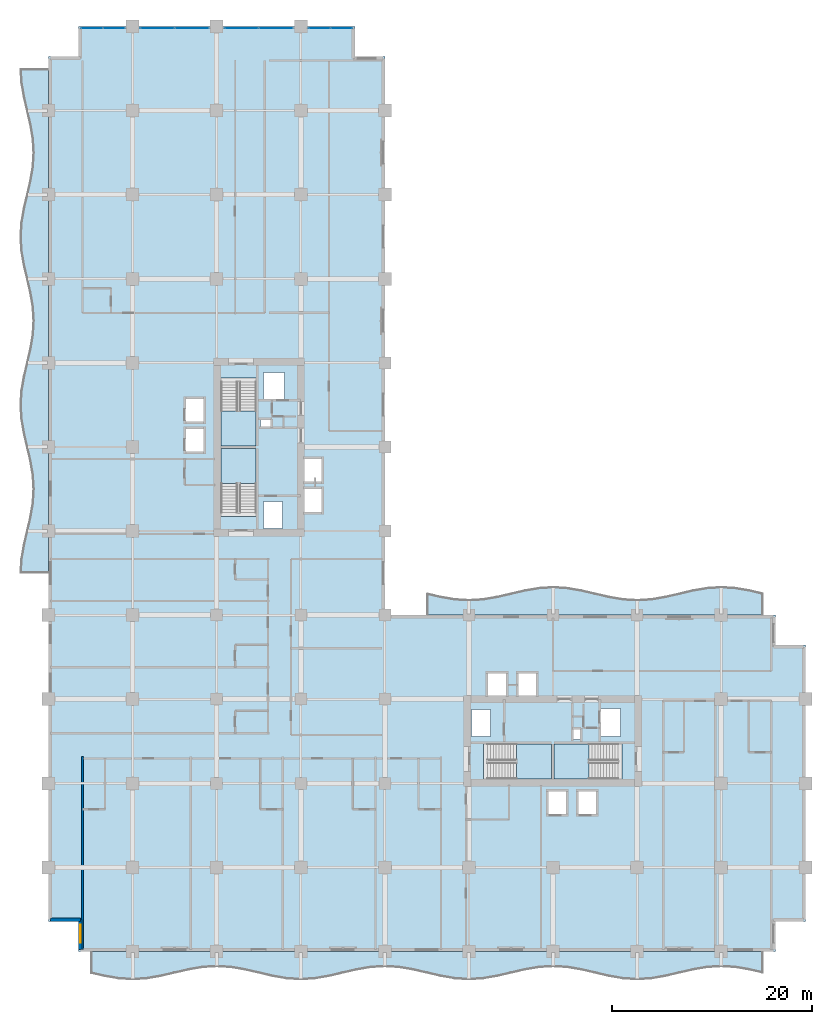
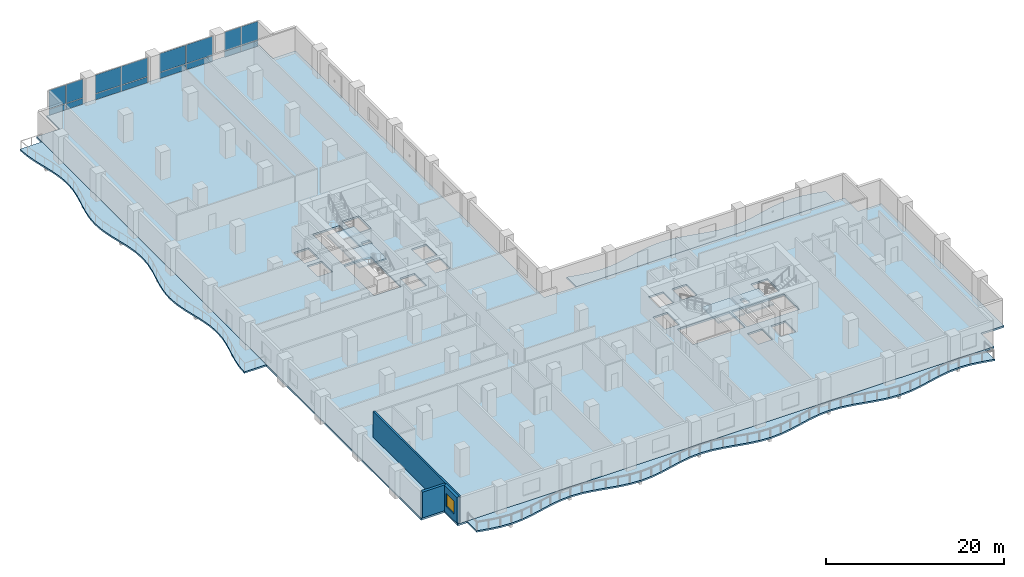
# One storey, part 6 of 21: 16 plates, 8 slabs, 3 walls, 1 window, 1 opening, 8 elements without a shape of their own.
"""IFC4 building model written with IfcOpenShell, lengths in metres."""

from ifc_helpers import new_model, si_unit, direction, frame, frame_2d, origin, origin_2d, place, context, subcontext, project, spatial, polyline, rectangle, outline, extrude, material, layer, layer_set, type_object, element, fill, aggregate, save


model = new_model("IFC4")

# Units and contexts
model_context = context("Model", 3, precision=1e-05, world=origin(), true_north=direction((0.0, 1.0)))
body_context = subcontext(model_context, "Body", "Model", "MODEL_VIEW")
ifc_project = project(units=[si_unit("LENGTHUNIT", "METRE"), si_unit("AREAUNIT", "SQUARE_METRE"), si_unit("VOLUMEUNIT", "CUBIC_METRE"), si_unit("PLANEANGLEUNIT", "RADIAN"), si_unit("MASSUNIT", "GRAM", prefix="KILO")], contexts=[model_context])

# Site, building, storey
site_placement = place(None, origin())
site = spatial("IfcSite", under=ifc_project, at=site_placement, CompositionType="ELEMENT")
building_placement = place(site_placement, origin())
building = spatial("IfcBuilding", under=site, at=building_placement, Name="Koriwani Terraces Tower", CompositionType="ELEMENT")
storey_placement = place(building_placement, frame((0.0, 0.0, 111.39990234375)))
storey = spatial("IfcBuildingStorey", under=building, at=storey_placement, Name="L26", CompositionType="ELEMENT", Elevation=111.39990234375)

# Curtain wall, plates
ifc_material_1 = material(Name="Anodised Bronze Aluminium", Category="aluminium")
ifc_layer_1 = layer(ifc_material_1, 0.179931640625, Name="Anodised Bronze Aluminium")
ifc_layer_set_1 = layer_set([ifc_layer_1], Name="Anodised Bronze Aluminium")
curtain_wall_type = type_object("IfcCurtainWallType", Name="CW_HOTEL_ZONE2", PredefinedType="NOTDEFINED", material=ifc_layer_set_1)
curtain_wall_1_placement = place(storey_placement, origin())
curtain_wall_1 = element("IfcCurtainWall", 1, at=curtain_wall_1_placement, inside=storey, type_object=curtain_wall_type, Name="L26 Unitised Curtain Wall (N_TIP) Bay 1", PredefinedType="NOTDEFINED")
ifc_material_2 = material(Name="Tempered Laminated Low-E Glass", Category="glass")
ifc_layer_2 = layer(ifc_material_2, 0.028076171875, Name="Tempered Laminated Low-E Glass")
ifc_layer_set_2 = layer_set([ifc_layer_2], Name="Tempered Laminated Low-E Glass")
plate_type = type_object("IfcPlateType", Name="CW_PANEL_VISION_28", PredefinedType="CURTAIN_PANEL", material=ifc_layer_set_2)
plate_1_placement = place(storey_placement, frame((4.322509765625, 92.22509765625, 0.06494140625), z_axis=(0.0, 0.0, 1.0), x_axis=(1.0, 0.0, 0.0)))
plate_1 = element("IfcPlate", 2, at=plate_1_placement, type_object=plate_type, Name="CW-Z2 panel 1.1", PredefinedType="CURTAIN_PANEL", context=body_context, shape_type="SweptSolid", body=[
    extrude(rectangle(XDim=2.14501953125, YDim=0.028076171875, at=origin_2d()), origin(), (0.0, 0.0, 1.0), 0.802490234375),
])
plate_2_placement = place(storey_placement, frame((4.322509765625, 92.22509765625, 0.9326171875), z_axis=(0.0, 0.0, 1.0), x_axis=(1.0, 0.0, 0.0)))
plate_2 = element("IfcPlate", 3, at=plate_2_placement, type_object=plate_type, Name="CW-Z2 panel 1.2", PredefinedType="CURTAIN_PANEL", context=body_context, shape_type="SweptSolid", body=[
    extrude(rectangle(XDim=2.14501953125, YDim=0.028076171875, at=origin_2d()), origin(), (0.0, 0.0, 1.0), 2.552490234375),
])
plate_3_placement = place(storey_placement, frame((6.54248046875, 92.22509765625, 0.06494140625), z_axis=(0.0, 0.0, 1.0), x_axis=(1.0, 0.0, 0.0)))
plate_3 = element("IfcPlate", 4, at=plate_3_placement, type_object=plate_type, Name="CW-Z2 panel 2.1", PredefinedType="CURTAIN_PANEL", context=body_context, shape_type="SweptSolid", body=[
    extrude(rectangle(XDim=2.14501953125, YDim=0.028076171875, at=origin_2d()), origin(), (0.0, 0.0, 1.0), 0.802490234375),
])
plate_4_placement = place(storey_placement, frame((6.54248046875, 92.22509765625, 0.9326171875), z_axis=(0.0, 0.0, 1.0), x_axis=(1.0, 0.0, 0.0)))
plate_4 = element("IfcPlate", 5, at=plate_4_placement, type_object=plate_type, Name="CW-Z2 panel 2.2", PredefinedType="CURTAIN_PANEL", context=body_context, shape_type="SweptSolid", body=[
    extrude(rectangle(XDim=2.14501953125, YDim=0.028076171875, at=origin_2d()), origin(), (0.0, 0.0, 1.0), 2.552490234375),
])
aggregate(curtain_wall_1, [plate_1, plate_2, plate_3, plate_4])

curtain_wall_2_placement = place(storey_placement, origin())
curtain_wall_2 = element("IfcCurtainWall", 6, at=curtain_wall_2_placement, inside=storey, type_object=curtain_wall_type, Name="L26 Unitised Curtain Wall (N_TIP) Bay 2", PredefinedType="NOTDEFINED")
plate_5_placement = place(storey_placement, frame((10.873779296875, 92.22509765625, 0.06494140625), z_axis=(0.0, 0.0, 1.0), x_axis=(1.0, 0.0, 0.0)))
plate_5 = element("IfcPlate", 7, at=plate_5_placement, type_object=plate_type, Name="CW-Z2 panel 1.1", PredefinedType="CURTAIN_PANEL", context=body_context, shape_type="SweptSolid", body=[
    extrude(rectangle(XDim=3.37744140625, YDim=0.028076171875, at=origin_2d()), origin(), (0.0, 0.0, 1.0), 0.802490234375),
])
plate_6_placement = place(storey_placement, frame((10.873779296875, 92.22509765625, 0.9326171875), z_axis=(0.0, 0.0, 1.0), x_axis=(1.0, 0.0, 0.0)))
plate_6 = element("IfcPlate", 8, at=plate_6_placement, type_object=plate_type, Name="CW-Z2 panel 1.2", PredefinedType="CURTAIN_PANEL", context=body_context, shape_type="SweptSolid", body=[
    extrude(rectangle(XDim=3.37744140625, YDim=0.028076171875, at=origin_2d()), origin(), (0.0, 0.0, 1.0), 2.552490234375),
])
plate_7_placement = place(storey_placement, frame((14.326171875, 92.22509765625, 0.06494140625), z_axis=(0.0, 0.0, 1.0), x_axis=(1.0, 0.0, 0.0)))
plate_7 = element("IfcPlate", 9, at=plate_7_placement, type_object=plate_type, Name="CW-Z2 panel 2.1", PredefinedType="CURTAIN_PANEL", context=body_context, shape_type="SweptSolid", body=[
    extrude(rectangle(XDim=3.37744140625, YDim=0.028076171875, at=origin_2d()), origin(), (0.0, 0.0, 1.0), 0.802490234375),
])
plate_8_placement = place(storey_placement, frame((14.326171875, 92.22509765625, 0.9326171875), z_axis=(0.0, 0.0, 1.0), x_axis=(1.0, 0.0, 0.0)))
plate_8 = element("IfcPlate", 10, at=plate_8_placement, type_object=plate_type, Name="CW-Z2 panel 2.2", PredefinedType="CURTAIN_PANEL", context=body_context, shape_type="SweptSolid", body=[
    extrude(rectangle(XDim=3.37744140625, YDim=0.028076171875, at=origin_2d()), origin(), (0.0, 0.0, 1.0), 2.552490234375),
])
aggregate(curtain_wall_2, [plate_5, plate_6, plate_7, plate_8])

curtain_wall_3_placement = place(storey_placement, origin())
curtain_wall_3 = element("IfcCurtainWall", 11, at=curtain_wall_3_placement, inside=storey, type_object=curtain_wall_type, Name="L26 Unitised Curtain Wall (N_TIP) Bay 3", PredefinedType="NOTDEFINED")
plate_9_placement = place(storey_placement, frame((19.273681640625, 92.22509765625, 0.06494140625), z_axis=(0.0, 0.0, 1.0), x_axis=(1.0, 0.0, 0.0)))
plate_9 = element("IfcPlate", 12, at=plate_9_placement, type_object=plate_type, Name="CW-Z2 panel 1.1", PredefinedType="CURTAIN_PANEL", context=body_context, shape_type="SweptSolid", body=[
    extrude(rectangle(XDim=3.37744140625, YDim=0.028076171875, at=origin_2d()), origin(), (0.0, 0.0, 1.0), 0.802490234375),
])
plate_10_placement = place(storey_placement, frame((19.273681640625, 92.22509765625, 0.9326171875), z_axis=(0.0, 0.0, 1.0), x_axis=(1.0, 0.0, 0.0)))
plate_10 = element("IfcPlate", 13, at=plate_10_placement, type_object=plate_type, Name="CW-Z2 panel 1.2", PredefinedType="CURTAIN_PANEL", context=body_context, shape_type="SweptSolid", body=[
    extrude(rectangle(XDim=3.37744140625, YDim=0.028076171875, at=origin_2d()), origin(), (0.0, 0.0, 1.0), 2.552490234375),
])
plate_11_placement = place(storey_placement, frame((22.726318359375, 92.22509765625, 0.06494140625), z_axis=(0.0, 0.0, 1.0), x_axis=(1.0, 0.0, 0.0)))
plate_11 = element("IfcPlate", 14, at=plate_11_placement, type_object=plate_type, Name="CW-Z2 panel 2.1", PredefinedType="CURTAIN_PANEL", context=body_context, shape_type="SweptSolid", body=[
    extrude(rectangle(XDim=3.37744140625, YDim=0.028076171875, at=origin_2d()), origin(), (0.0, 0.0, 1.0), 0.802490234375),
])
plate_12_placement = place(storey_placement, frame((22.726318359375, 92.22509765625, 0.9326171875), z_axis=(0.0, 0.0, 1.0), x_axis=(1.0, 0.0, 0.0)))
plate_12 = element("IfcPlate", 15, at=plate_12_placement, type_object=plate_type, Name="CW-Z2 panel 2.2", PredefinedType="CURTAIN_PANEL", context=body_context, shape_type="SweptSolid", body=[
    extrude(rectangle(XDim=3.37744140625, YDim=0.028076171875, at=origin_2d()), origin(), (0.0, 0.0, 1.0), 2.552490234375),
])
aggregate(curtain_wall_3, [plate_9, plate_10, plate_11, plate_12])

curtain_wall_4_placement = place(storey_placement, origin())
curtain_wall_4 = element("IfcCurtainWall", 16, at=curtain_wall_4_placement, inside=storey, type_object=curtain_wall_type, Name="L26 Unitised Curtain Wall (N_TIP) Bay 4", PredefinedType="NOTDEFINED")
plate_13_placement = place(storey_placement, frame((27.0576171875, 92.22509765625, 0.06494140625), z_axis=(0.0, 0.0, 1.0), x_axis=(1.0, 0.0, 0.0)))
plate_13 = element("IfcPlate", 17, at=plate_13_placement, type_object=plate_type, Name="CW-Z2 panel 1.1", PredefinedType="CURTAIN_PANEL", context=body_context, shape_type="SweptSolid", body=[
    extrude(rectangle(XDim=2.14501953125, YDim=0.028076171875, at=origin_2d()), origin(), (0.0, 0.0, 1.0), 0.802490234375),
])
plate_14_placement = place(storey_placement, frame((27.0576171875, 92.22509765625, 0.9326171875), z_axis=(0.0, 0.0, 1.0), x_axis=(1.0, 0.0, 0.0)))
plate_14 = element("IfcPlate", 18, at=plate_14_placement, type_object=plate_type, Name="CW-Z2 panel 1.2", PredefinedType="CURTAIN_PANEL", context=body_context, shape_type="SweptSolid", body=[
    extrude(rectangle(XDim=2.14501953125, YDim=0.028076171875, at=origin_2d()), origin(), (0.0, 0.0, 1.0), 2.552490234375),
])
plate_15_placement = place(storey_placement, frame((29.277587890625, 92.22509765625, 0.06494140625), z_axis=(0.0, 0.0, 1.0), x_axis=(1.0, 0.0, 0.0)))
plate_15 = element("IfcPlate", 19, at=plate_15_placement, type_object=plate_type, Name="CW-Z2 panel 2.1", PredefinedType="CURTAIN_PANEL", context=body_context, shape_type="SweptSolid", body=[
    extrude(rectangle(XDim=2.14501953125, YDim=0.028076171875, at=origin_2d()), origin(), (0.0, 0.0, 1.0), 0.802490234375),
])
plate_16_placement = place(storey_placement, frame((29.277587890625, 92.22509765625, 0.9326171875), z_axis=(0.0, 0.0, 1.0), x_axis=(1.0, 0.0, 0.0)))
plate_16 = element("IfcPlate", 20, at=plate_16_placement, type_object=plate_type, Name="CW-Z2 panel 2.2", PredefinedType="CURTAIN_PANEL", context=body_context, shape_type="SweptSolid", body=[
    extrude(rectangle(XDim=2.14501953125, YDim=0.028076171875, at=origin_2d()), origin(), (0.0, 0.0, 1.0), 2.552490234375),
])
aggregate(curtain_wall_4, [plate_13, plate_14, plate_15, plate_16])

# Slabs
ifc_material_3 = material(Name="Concrete C40/50", Category="concrete")
ifc_layer_3 = layer(ifc_material_3, 0.219970703125, Name="Concrete C40/50")
ifc_layer_set_3 = layer_set([ifc_layer_3], Name="Concrete C40/50")
slab_type_1 = type_object("IfcSlabType", Name="SLAB_BALCONY_220", PredefinedType="FLOOR", material=ifc_layer_set_3)
slab_1_placement = place(storey_placement, frame((0.0, 0.0, -0.219970703125)))
element("IfcSlab", 21, at=slab_1_placement, inside=storey, type_object=slab_type_1, Name="L26 Quilted Circular-Arc Balcony (S)", PredefinedType="FLOOR", context=body_context, shape_type="SweptSolid", body=[
    extrude(outline(polyline([(4.199951171875, 0.0), (5.60009765625, 0.0), (7.0, 0.0), (8.39990234375, 0.0), (9.800048828125, 0.0), (11.199951171875, 0.0), (12.60009765625, 0.0), (14.0, 0.0), (15.39990234375, 0.0), (16.800048828125, 0.0), (18.199951171875, 0.0), (19.60009765625, 0.0), (21.0, 0.0), (22.39990234375, 0.0), (23.800048828125, 0.0), (25.199951171875, 0.0), (26.60009765625, 0.0), (28.0, 0.0), (29.39990234375, 0.0), (30.800048828125, 0.0), (32.199951171875, 0.0), (33.60009765625, 0.0), (35.0, 0.0), (36.39990234375, 0.0), (37.800048828125, 0.0), (39.199951171875, 0.0), (40.60009765625, 0.0), (42.0, 0.0), (43.39990234375, 0.0), (44.800048828125, 0.0), (46.199951171875, 0.0), (47.60009765625, 0.0), (49.0, 0.0), (50.39990234375, 0.0), (51.800048828125, 0.0), (53.199951171875, 0.0), (54.60009765625, 0.0), (56.0, 0.0), (57.39990234375, 0.0), (58.800048828125, 0.0), (60.199951171875, 0.0), (61.60009765625, 0.0), (63.0, 0.0), (64.39990234375, 0.0), (65.800048828125, 0.0), (67.199951171875, 0.0), (68.60009765625, 0.0), (70.0, 0.0), (71.39990234375, 0.0), (71.39990234375, -2.199951171875), (70.0, -1.875), (68.60009765625, -1.63720703125), (67.199951171875, -1.550048828125), (65.800048828125, -1.63720703125), (64.39990234375, -1.875), (63.0, -2.199951171875), (61.60009765625, -2.52490234375), (60.199951171875, -2.762939453125), (58.800048828125, -2.85009765625), (57.39990234375, -2.762939453125), (56.0, -2.52490234375), (54.60009765625, -2.199951171875), (53.199951171875, -1.875), (51.800048828125, -1.63720703125), (50.39990234375, -1.550048828125), (49.0, -1.63720703125), (47.60009765625, -1.875), (46.199951171875, -2.199951171875), (44.800048828125, -2.52490234375), (43.39990234375, -2.762939453125), (42.0, -2.85009765625), (40.60009765625, -2.762939453125), (39.199951171875, -2.52490234375), (37.800048828125, -2.199951171875), (36.39990234375, -1.875), (35.0, -1.63720703125), (33.60009765625, -1.550048828125), (32.199951171875, -1.63720703125), (30.800048828125, -1.875), (29.39990234375, -2.199951171875), (28.0, -2.52490234375), (26.60009765625, -2.762939453125), (25.199951171875, -2.85009765625), (23.800048828125, -2.762939453125), (22.39990234375, -2.52490234375), (21.0, -2.199951171875), (19.60009765625, -1.875), (18.199951171875, -1.63720703125), (16.800048828125, -1.550048828125), (15.39990234375, -1.63720703125), (14.0, -1.875), (12.60009765625, -2.199951171875), (11.199951171875, -2.52490234375), (9.800048828125, -2.762939453125), (8.39990234375, -2.85009765625), (7.0, -2.762939453125), (5.60009765625, -2.52490234375), (4.199951171875, -2.199951171875), (4.199951171875, 0.0)])), origin(), (0.0, 0.0, 1.0), 0.219970703125),
])
slab_2_placement = place(storey_placement, frame((0.0, 0.0, -0.219970703125)))
element("IfcSlab", 22, at=slab_2_placement, inside=storey, type_object=slab_type_1, Name="L26 Quilted Circular-Arc Balcony (W)", PredefinedType="FLOOR", context=body_context, shape_type="SweptSolid", body=[
    extrude(outline(polyline([(0.0, 37.800048828125), (0.0, 39.199951171875), (0.0, 40.60009765625), (0.0, 42.0), (0.0, 43.39990234375), (0.0, 44.800048828125), (0.0, 46.199951171875), (0.0, 47.60009765625), (0.0, 49.0), (0.0, 50.39990234375), (0.0, 51.800048828125), (0.0, 53.199951171875), (0.0, 54.60009765625), (0.0, 56.0), (0.0, 57.39990234375), (0.0, 58.800048828125), (0.0, 60.199951171875), (0.0, 61.60009765625), (0.0, 63.0), (0.0, 64.39990234375), (0.0, 65.800048828125), (0.0, 67.199951171875), (0.0, 68.60009765625), (0.0, 70.0), (0.0, 71.39990234375), (0.0, 72.800048828125), (0.0, 74.199951171875), (0.0, 75.60009765625), (0.0, 77.0), (0.0, 78.39990234375), (0.0, 79.800048828125), (0.0, 81.199951171875), (0.0, 82.60009765625), (0.0, 84.0), (0.0, 85.39990234375), (0.0, 86.800048828125), (0.0, 88.199951171875), (-2.85009765625, 88.199951171875), (-2.762939453125, 86.800048828125), (-2.52490234375, 85.39990234375), (-2.199951171875, 84.0), (-1.875, 82.60009765625), (-1.63720703125, 81.199951171875), (-1.550048828125, 79.800048828125), (-1.63720703125, 78.39990234375), (-1.875, 77.0), (-2.199951171875, 75.60009765625), (-2.52490234375, 74.199951171875), (-2.762939453125, 72.800048828125), (-2.85009765625, 71.39990234375), (-2.762939453125, 70.0), (-2.52490234375, 68.60009765625), (-2.199951171875, 67.199951171875), (-1.875, 65.800048828125), (-1.63720703125, 64.39990234375), (-1.550048828125, 63.0), (-1.63720703125, 61.60009765625), (-1.875, 60.199951171875), (-2.199951171875, 58.800048828125), (-2.52490234375, 57.39990234375), (-2.762939453125, 56.0), (-2.85009765625, 54.60009765625), (-2.762939453125, 53.199951171875), (-2.52490234375, 51.800048828125), (-2.199951171875, 50.39990234375), (-1.875, 49.0), (-1.63720703125, 47.60009765625), (-1.550048828125, 46.199951171875), (-1.63720703125, 44.800048828125), (-1.875, 43.39990234375), (-2.199951171875, 42.0), (-2.52490234375, 40.60009765625), (-2.762939453125, 39.199951171875), (-2.85009765625, 37.800048828125), (0.0, 37.800048828125)])), origin(), (0.0, 0.0, 1.0), 0.219970703125),
])
slab_3_placement = place(storey_placement, frame((0.0, 0.0, -0.219970703125)))
element("IfcSlab", 23, at=slab_3_placement, inside=storey, type_object=slab_type_1, Name="L26 Quilted Circular-Arc Balcony (NE)", PredefinedType="FLOOR", context=body_context, shape_type="SweptSolid", body=[
    extrude(outline(polyline([(71.39990234375, 33.60009765625), (70.0, 33.60009765625), (68.60009765625, 33.60009765625), (67.199951171875, 33.60009765625), (65.800048828125, 33.60009765625), (64.39990234375, 33.60009765625), (63.0, 33.60009765625), (61.60009765625, 33.60009765625), (60.199951171875, 33.60009765625), (58.800048828125, 33.60009765625), (57.39990234375, 33.60009765625), (56.0, 33.60009765625), (54.60009765625, 33.60009765625), (53.199951171875, 33.60009765625), (51.800048828125, 33.60009765625), (50.39990234375, 33.60009765625), (49.0, 33.60009765625), (47.60009765625, 33.60009765625), (46.199951171875, 33.60009765625), (44.800048828125, 33.60009765625), (43.39990234375, 33.60009765625), (42.0, 33.60009765625), (40.60009765625, 33.60009765625), (39.199951171875, 33.60009765625), (37.800048828125, 33.60009765625), (37.800048828125, 35.800048828125), (39.199951171875, 35.47509765625), (40.60009765625, 35.237060546875), (42.0, 35.14990234375), (43.39990234375, 35.237060546875), (44.800048828125, 35.47509765625), (46.199951171875, 35.800048828125), (47.60009765625, 36.125), (49.0, 36.36279296875), (50.39990234375, 36.449951171875), (51.800048828125, 36.36279296875), (53.199951171875, 36.125), (54.60009765625, 35.800048828125), (56.0, 35.47509765625), (57.39990234375, 35.237060546875), (58.800048828125, 35.14990234375), (60.199951171875, 35.237060546875), (61.60009765625, 35.47509765625), (63.0, 35.800048828125), (64.39990234375, 36.125), (65.800048828125, 36.36279296875), (67.199951171875, 36.449951171875), (68.60009765625, 36.36279296875), (70.0, 36.125), (71.39990234375, 35.800048828125), (71.39990234375, 33.60009765625)])), origin(), (0.0, 0.0, 1.0), 0.219970703125),
])

# Stair, slab
stair_type = type_object("IfcStairType", Name="STAIR_CORE_DOGLEG_1650", PredefinedType="TWO_STRAIGHT_RUN_STAIR", material=ifc_material_3)
stair_1_placement = place(storey_placement, origin())
stair_1 = element("IfcStair", 24, at=stair_1_placement, inside=storey, type_object=stair_type, Name="L26 West Core Exit Stair 1", PredefinedType="HALF_TURN_STAIR")
ifc_layer_4 = layer(ifc_material_3, 0.199951171875, Name="Concrete C40/50")
ifc_layer_set_4 = layer_set([ifc_layer_4], Name="Concrete C40/50")
slab_type_2 = type_object("IfcSlabType", Name="SLAB_STAIR_LANDING_200", PredefinedType="LANDING", material=ifc_layer_set_4)
slab_4_placement = place(storey_placement, frame((0.0, 0.0, 1.7001953125)))
slab_4 = element("IfcSlab", 25, at=slab_4_placement, type_object=slab_type_2, Name="ST-W1 landing 1", PredefinedType="LANDING", context=body_context, shape_type="SweptSolid", body=[
    extrude(outline(polyline([(20.75, 46.75), (20.75, 50.25), (17.25, 50.25), (17.25, 46.75), (20.75, 46.75)])), origin(), (0.0, 0.0, 1.0), 0.199951171875),
])
aggregate(stair_1, [slab_4])

stair_2_placement = place(storey_placement, origin())
stair_2 = element("IfcStair", 26, at=stair_2_placement, inside=storey, type_object=stair_type, Name="L26 West Core Exit Stair 2", PredefinedType="HALF_TURN_STAIR")
slab_5_placement = place(storey_placement, frame((0.0, 0.0, 1.7001953125)))
slab_5 = element("IfcSlab", 27, at=slab_5_placement, type_object=slab_type_2, Name="ST-W2 landing 1", PredefinedType="LANDING", context=body_context, shape_type="SweptSolid", body=[
    extrude(outline(polyline([(17.25, 54.0), (17.25, 50.5), (20.75, 50.5), (20.75, 54.0), (17.25, 54.0)])), origin(), (0.0, 0.0, 1.0), 0.199951171875),
])
aggregate(stair_2, [slab_5])

stair_3_placement = place(storey_placement, origin())
stair_3 = element("IfcStair", 28, at=stair_3_placement, inside=storey, type_object=stair_type, Name="L26 East Core Exit Stair 1", PredefinedType="HALF_TURN_STAIR")
slab_6_placement = place(storey_placement, frame((0.0, 0.0, 1.7001953125)))
slab_6 = element("IfcSlab", 29, at=slab_6_placement, type_object=slab_type_2, Name="ST-E1 landing 1", PredefinedType="LANDING", context=body_context, shape_type="SweptSolid", body=[
    extrude(outline(polyline([(46.75, 17.25), (50.25, 17.25), (50.25, 20.75), (46.75, 20.75), (46.75, 17.25)])), origin(), (0.0, 0.0, 1.0), 0.199951171875),
])
aggregate(stair_3, [slab_6])

stair_4_placement = place(storey_placement, origin())
stair_4 = element("IfcStair", 30, at=stair_4_placement, inside=storey, type_object=stair_type, Name="L26 East Core Exit Stair 2", PredefinedType="HALF_TURN_STAIR")
slab_7_placement = place(storey_placement, frame((0.0, 0.0, 1.7001953125)))
slab_7 = element("IfcSlab", 31, at=slab_7_placement, type_object=slab_type_2, Name="ST-E2 landing 1", PredefinedType="LANDING", context=body_context, shape_type="SweptSolid", body=[
    extrude(outline(polyline([(54.0, 20.75), (50.5, 20.75), (50.5, 17.25), (54.0, 17.25), (54.0, 20.75)])), origin(), (0.0, 0.0, 1.0), 0.199951171875),
])
aggregate(stair_4, [slab_7])

# Slab
ifc_layer_5 = layer(ifc_material_3, 0.25, Name="Concrete C40/50")
ifc_layer_set_5 = layer_set([ifc_layer_5], Name="Concrete C40/50")
slab_type_3 = type_object("IfcSlabType", Name="SLAB_TOWER_TYP_250", PredefinedType="FLOOR", material=ifc_layer_set_5)
slab_8_placement = place(storey_placement, frame((0.0, 0.0, -0.25)))
element("IfcSlab", 32, at=slab_8_placement, inside=storey, type_object=slab_type_3, Name="L26 Structural Floor Slab", PredefinedType="FLOOR", context=body_context, shape_type="SweptSolid", body=[
    extrude(outline(polyline([(3.0, 0.0), (72.60009765625, 0.0), (72.60009765625, 3.0), (75.60009765625, 3.0), (75.60009765625, 30.60009765625), (72.60009765625, 30.60009765625), (72.60009765625, 33.60009765625), (33.60009765625, 33.60009765625), (33.60009765625, 89.39990234375), (30.60009765625, 89.39990234375), (30.60009765625, 92.39990234375), (3.0, 92.39990234375), (3.0, 89.39990234375), (0.0, 89.39990234375), (0.0, 3.0), (3.0, 3.0), (3.0, 0.0)]), holes=[polyline([(17.25, 43.4599609375), (20.75, 43.4599609375), (20.75, 50.25), (17.25, 50.25), (17.25, 43.4599609375)]), polyline([(17.25, 50.5), (20.75, 50.5), (20.75, 57.2900390625), (17.25, 57.2900390625), (17.25, 50.5)]), polyline([(43.4599609375, 17.25), (50.25, 17.25), (50.25, 20.75), (43.4599609375, 20.75), (43.4599609375, 17.25)]), polyline([(50.5, 17.25), (57.2900390625, 17.25), (57.2900390625, 20.75), (50.5, 20.75), (50.5, 17.25)]), polyline([(13.64990234375, 49.85009765625), (15.550048828125, 49.85009765625), (15.550048828125, 52.25), (13.64990234375, 52.25), (13.64990234375, 49.85009765625)]), polyline([(13.64990234375, 52.85009765625), (15.550048828125, 52.85009765625), (15.550048828125, 55.25), (13.64990234375, 55.25), (13.64990234375, 52.85009765625)]), polyline([(49.85009765625, 13.64990234375), (51.75, 13.64990234375), (51.75, 16.050048828125), (49.85009765625, 16.050048828125), (49.85009765625, 13.64990234375)]), polyline([(52.85009765625, 13.64990234375), (54.75, 13.64990234375), (54.75, 16.050048828125), (52.85009765625, 16.050048828125), (52.85009765625, 13.64990234375)]), polyline([(25.449951171875, 43.85009765625), (27.35009765625, 43.85009765625), (27.35009765625, 46.25), (25.449951171875, 46.25), (25.449951171875, 43.85009765625)]), polyline([(25.449951171875, 46.85009765625), (27.35009765625, 46.85009765625), (27.35009765625, 49.25), (25.449951171875, 49.25), (25.449951171875, 46.85009765625)]), polyline([(43.85009765625, 25.449951171875), (45.75, 25.449951171875), (45.75, 27.85009765625), (43.85009765625, 27.85009765625), (43.85009765625, 25.449951171875)]), polyline([(46.85009765625, 25.449951171875), (48.75, 25.449951171875), (48.75, 27.85009765625), (46.85009765625, 27.85009765625), (46.85009765625, 25.449951171875)]), polyline([(21.449951171875, 55.050048828125), (23.550048828125, 55.050048828125), (23.550048828125, 57.85009765625), (21.449951171875, 57.85009765625), (21.449951171875, 55.050048828125)]), polyline([(55.050048828125, 21.449951171875), (57.14990234375, 21.449951171875), (57.14990234375, 24.25), (55.050048828125, 24.25), (55.050048828125, 21.449951171875)]), polyline([(21.449951171875, 42.25), (23.35009765625, 42.25), (23.35009765625, 44.949951171875), (21.449951171875, 44.949951171875), (21.449951171875, 42.25)]), polyline([(42.25, 21.449951171875), (44.14990234375, 21.449951171875), (44.14990234375, 24.14990234375), (42.25, 24.14990234375), (42.25, 21.449951171875)]), polyline([(21.14990234375, 52.419921875), (22.219970703125, 52.419921875), (22.219970703125, 53.179931640625), (21.14990234375, 53.179931640625), (21.14990234375, 52.419921875)]), polyline([(52.419921875, 21.14990234375), (53.179931640625, 21.14990234375), (53.179931640625, 22.219970703125), (52.419921875, 22.219970703125), (52.419921875, 21.14990234375)])]), origin(), (0.0, 0.0, 1.0), 0.25),
])

# Wall
ifc_material_4 = material(Name="Autoclaved Cellular Concrete Blockwork", Category="masonry")
ifc_layer_6 = layer(ifc_material_4, 0.219970703125, Name="Autoclaved Cellular Concrete Blockwork")
ifc_layer_set_6 = layer_set([ifc_layer_6], Name="Autoclaved Cellular Concrete Blockwork")
wall_type_1 = type_object("IfcWallType", Name="WALL_DEMISING_220", PredefinedType="PARTITIONING", material=ifc_layer_set_6)
wall_1_placement = place(storey_placement, frame((3.39990234375, 0.199951171875, 0.0), z_axis=(0.0, 0.0, 1.0), x_axis=(0.0, 1.0, 0.0)))
element("IfcWall", 33, at=wall_1_placement, inside=storey, type_object=wall_type_1, Name="L26 Interior Wall WDEM-L26-SW-0", PredefinedType="PARTITIONING", context=body_context, shape_type="SweptSolid", body=[
    extrude(rectangle(XDim=19.280029296875, YDim=0.219970703125, at=frame_2d((9.64013671875, 0.0))), origin(), (0.0, 0.0, 1.0), 3.550048828125),
])

# Wall, opening, window
ifc_material_5 = material(Name="Concrete C50/60", Category="concrete")
ifc_layer_7 = layer(ifc_material_5, 0.35009765625, Name="Concrete C50/60")
ifc_layer_set_7 = layer_set([ifc_layer_7], Name="Concrete C50/60")
wall_type_2 = type_object("IfcWallType", Name="WALL_EXT_BRUTALIST_350", PredefinedType="STANDARD", material=ifc_layer_set_7)
wall_2_placement = place(storey_placement, frame((3.175048828125, 0.175048828125, 0.0), z_axis=(0.0, 0.0, 1.0), x_axis=(0.0, 1.0, 0.0)))
wall_2 = element("IfcWall", 34, at=wall_2_placement, inside=storey, type_object=wall_type_2, Name="L26 Fair-Faced Brutalist Exterior Wall (N0)", PredefinedType="STANDARD", context=body_context, shape_type="SweptSolid", body=[
    extrude(rectangle(XDim=3.0, YDim=0.35009765625, at=frame_2d((1.5, 0.0))), origin(), (0.0, 0.0, 1.0), 3.550048828125),
])
opening_placement = place(wall_2_placement, frame((0.677490234375, 0.0, 0.85009765625)))
opening = element("IfcOpeningElement", 35, at=opening_placement, cuts=wall_2, Name="Opening W-04", PredefinedType="OPENING", context=body_context, shape_type="SweptSolid", body=[
    extrude(rectangle(XDim=1.800048828125, YDim=1.800048828125, at=frame_2d((0.89990234375, 0.89990234375))), frame((0.0, 0.18505859375, 0.0), z_axis=(0.0, -1.0, 0.0), x_axis=(1.0, 0.0, 0.0)), (0.0, 0.0, 1.0), 0.3701171875),
])
window_type = type_object("IfcWindowType", Name="WIN_RES_BED_1800X1800", PartitioningType="DOUBLE_PANEL_VERTICAL", PredefinedType="WINDOW", material=ifc_material_2)
window_placement = place(opening_placement, origin())
window = element("IfcWindow", 36, at=window_placement, inside=storey, type_object=window_type, Name="L26 Exterior Window (N0-R32)", OverallHeight=1.800048828125, OverallWidth=1.800048828125, PartitioningType="SINGLE_PANEL", PredefinedType="WINDOW", context=body_context, shape_type="SweptSolid", body=[
    extrude(rectangle(XDim=1.800048828125, YDim=1.800048828125, at=frame_2d((0.89990234375, 0.89990234375))), frame((0.0, 0.030029296875, 0.0), z_axis=(0.0, -1.0, 0.0), x_axis=(1.0, 0.0, 0.0)), (0.0, 0.0, 1.0), 0.06005859375),
])
fill(opening, window)

# Wall
wall_3_placement = place(storey_placement, frame((3.175048828125, 3.175048828125, 0.0), z_axis=(0.0, 0.0, 1.0), x_axis=(-1.0, 0.0, 0.0)))
element("IfcWall", 37, at=wall_3_placement, inside=storey, type_object=wall_type_2, Name="L26 Fair-Faced Brutalist Exterior Wall (N1)", PredefinedType="STANDARD", context=body_context, shape_type="SweptSolid", body=[
    extrude(rectangle(XDim=3.0, YDim=0.35009765625, at=frame_2d((1.5, 0.0))), origin(), (0.0, 0.0, 1.0), 3.550048828125),
])

save(model, "model.ifc")
